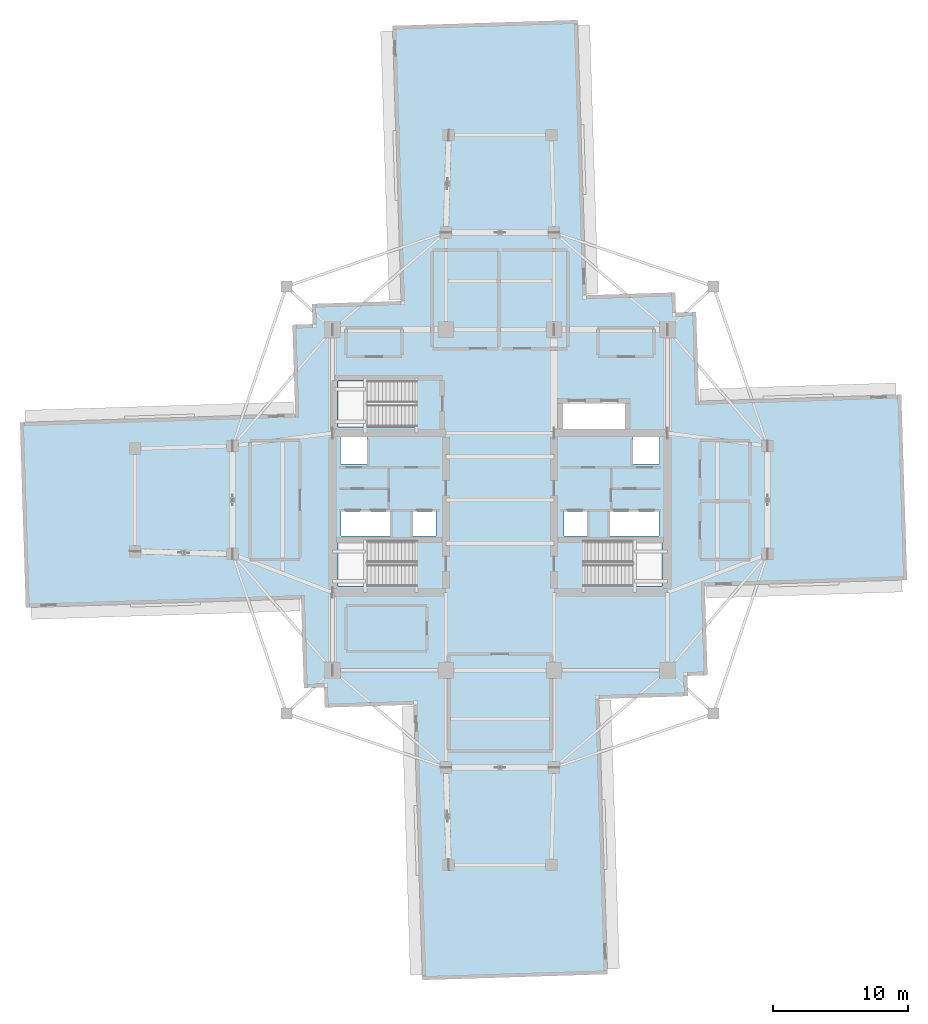
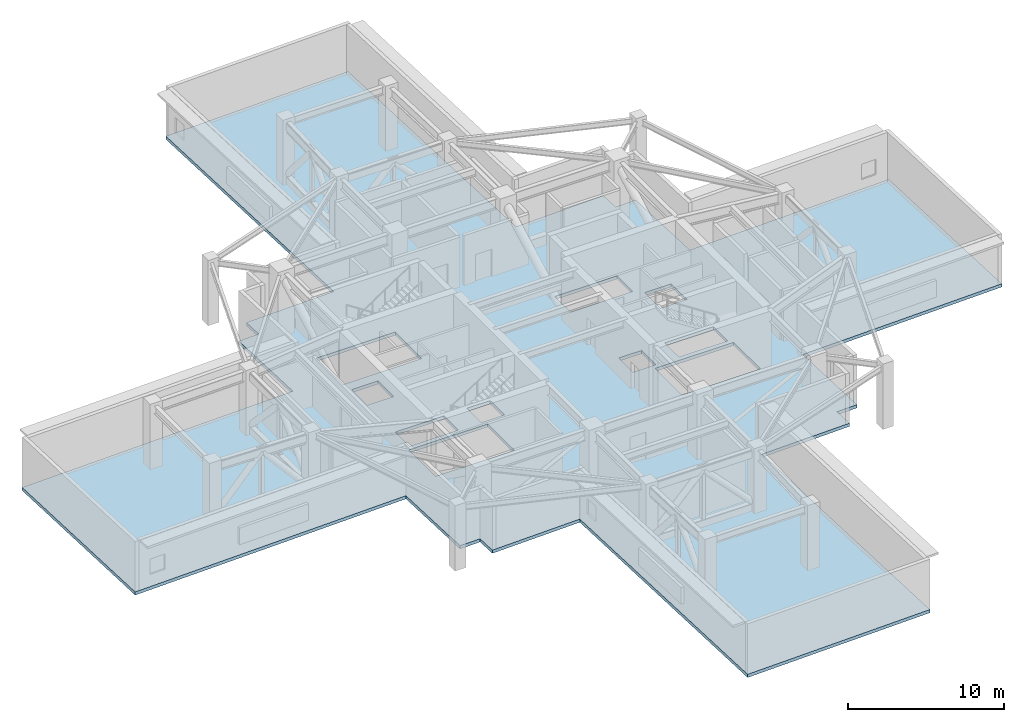
# One storey, part 7 of 17: 1 slab.
"""IFC4 building model written with IfcOpenShell, lengths in metres."""

from ifc_helpers import new_model, si_unit, direction, frame, origin, place, context, subcontext, project, spatial, polyline, outline, extrude, material, layer, layer_set, type_object, element, save


model = new_model("IFC4")

# Units and contexts
model_context = context("Model", 3, precision=1e-05, world=origin(), true_north=direction((0.0, 1.0)))
body_context = subcontext(model_context, "Body", "Model", "MODEL_VIEW")
ifc_project = project(units=[si_unit("LENGTHUNIT", "METRE"), si_unit("AREAUNIT", "SQUARE_METRE"), si_unit("VOLUMEUNIT", "CUBIC_METRE"), si_unit("PLANEANGLEUNIT", "RADIAN"), si_unit("MASSUNIT", "GRAM", prefix="KILO")], contexts=[model_context])

# Site, building, storey
site_placement = place(None, origin())
site = spatial("IfcSite", under=ifc_project, at=site_placement, CompositionType="ELEMENT")
building_placement = place(site_placement, origin())
building = spatial("IfcBuilding", under=site, at=building_placement, Name="Qingluan Cross Belvedere", CompositionType="ELEMENT")
storey_placement = place(building_placement, frame((0.0, 0.0, 191.699951171875)))
storey = spatial("IfcBuildingStorey", under=building, at=storey_placement, Name="L48", CompositionType="ELEMENT", Elevation=191.699951171875)

# Slab
ifc_material = material(Name="Concrete C40", Category="concrete")
ifc_layer = layer(ifc_material, 0.25, Name="FloorSlab_250")
ifc_layer_set = layer_set([ifc_layer], Name="Concrete C40")
slab_type = type_object("IfcSlabType", Name="FloorSlab_250", PredefinedType="FLOOR", material=ifc_layer_set)
slab_placement = place(storey_placement, frame((0.0, 0.0, -0.25)))
element("IfcSlab", 1, at=slab_placement, inside=storey, type_object=slab_type, Name="Structural floor slab L48", PredefinedType="FLOOR", context=body_context, shape_type="SweptSolid", body=[
    extrude(outline(polyline([(7.966064453125, -35.087158203125), (7.325927734375, -14.71728515625), (13.902587890625, -14.510498046875), (13.85546875, -13.01123046875), (15.354736328125, -12.964111328125), (15.148193359375, -6.38720703125), (30.12060546875, -5.916748046875), (29.689697265625, 7.79638671875), (14.71728515625, 7.325927734375), (14.510498046875, 13.902587890625), (13.01123046875, 13.85546875), (12.964111328125, 15.354736328125), (6.38720703125, 15.148193359375), (5.747314453125, 35.51806640625), (-7.966064453125, 35.087158203125), (-7.325927734375, 14.71728515625), (-13.902587890625, 14.510498046875), (-13.85546875, 13.01123046875), (-15.354736328125, 12.964111328125), (-15.148193359375, 6.38720703125), (-35.51806640625, 5.747314453125), (-35.087158203125, -7.966064453125), (-14.71728515625, -7.325927734375), (-14.510498046875, -13.902587890625), (-13.01123046875, -13.85546875), (-12.964111328125, -15.354736328125), (-6.38720703125, -15.148193359375), (-5.747314453125, -35.51806640625), (7.966064453125, -35.087158203125)]), holes=[polyline([(-12.0, -3.0), (-6.179931640625, -3.0), (-6.179931640625, -6.39990234375), (-12.0, -6.39990234375), (-12.0, -3.0)]), polyline([(6.179931640625, -3.0), (12.0, -3.0), (12.0, -6.39990234375), (6.179931640625, -6.39990234375), (6.179931640625, -3.0)]), polyline([(-12.0, 8.820068359375), (-6.179931640625, 8.820068359375), (-6.179931640625, 5.419921875), (-12.0, 5.419921875), (-12.0, 8.820068359375)]), polyline([(-11.800048828125, 4.64990234375), (-9.85009765625, 4.64990234375), (-9.85009765625, 2.64990234375), (-11.800048828125, 2.64990234375), (-11.800048828125, 4.64990234375)]), polyline([(9.85009765625, 4.64990234375), (11.800048828125, 4.64990234375), (11.800048828125, 2.64990234375), (9.85009765625, 2.64990234375), (9.85009765625, 4.64990234375)]), polyline([(-11.75, -0.840087890625), (-8.14990234375, -0.840087890625), (-8.14990234375, -2.659912109375), (-11.75, -2.659912109375), (-11.75, -0.840087890625)]), polyline([(-6.449951171875, -0.840087890625), (-4.75, -0.840087890625), (-4.75, -2.659912109375), (-6.449951171875, -2.659912109375), (-6.449951171875, -0.840087890625)]), polyline([(4.75, -0.840087890625), (6.449951171875, -0.840087890625), (6.449951171875, -2.659912109375), (4.75, -2.659912109375), (4.75, -0.840087890625)]), polyline([(8.14990234375, -0.840087890625), (11.75, -0.840087890625), (11.75, -2.659912109375), (8.14990234375, -2.659912109375), (8.14990234375, -0.840087890625)]), polyline([(4.64990234375, 7.14990234375), (9.25, 7.14990234375), (9.25, 5.14990234375), (4.64990234375, 5.14990234375), (4.64990234375, 7.14990234375)])]), origin(), (0.0, 0.0, 1.0), 0.25),
])

save(model, "model.ifc")
